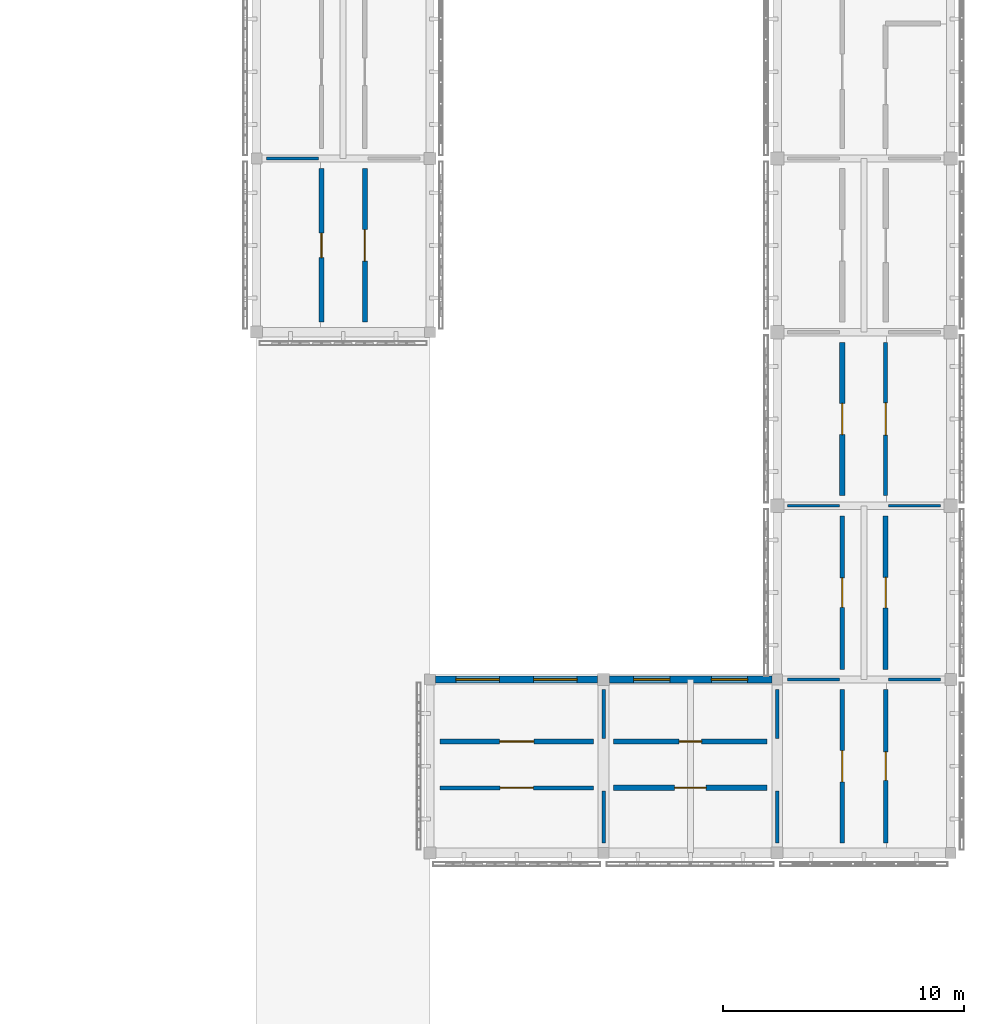
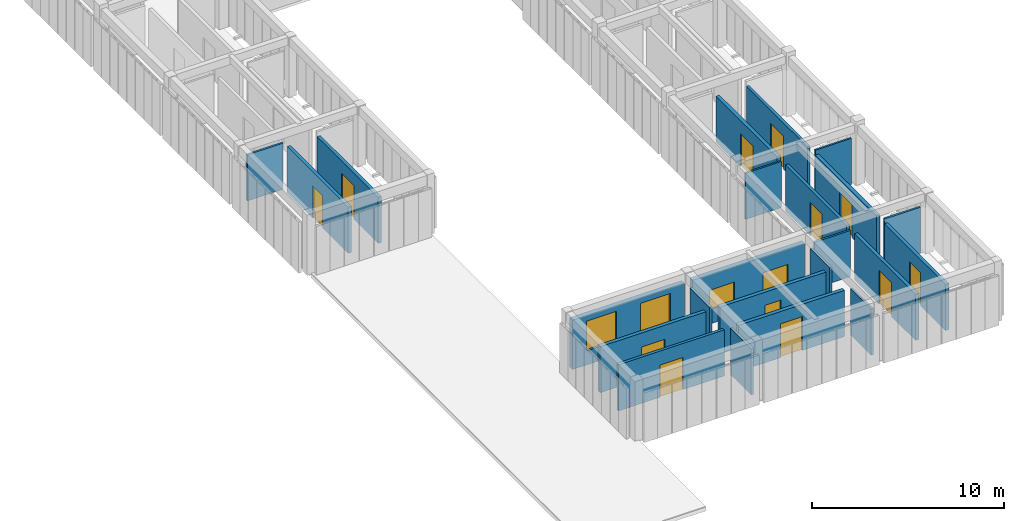
# One storey, part 57 of 67: 23 walls, 12 doors, 4 windows, 16 openings.
"""IFC4 building model written with IfcOpenShell, lengths in metres."""

from ifc_helpers import new_model, si_unit, direction, frame, frame_2d, origin, place, context, subcontext, project, spatial, rectangle, extrude, material, layer, layer_set, type_object, element, fill, save


model = new_model("IFC4")

# Units and contexts
model_context = context("Model", 3, precision=1e-05, world=origin(), true_north=direction((0.0, 1.0)))
body_context = subcontext(model_context, "Body", "Model", "MODEL_VIEW")
ifc_project = project(units=[si_unit("LENGTHUNIT", "METRE"), si_unit("AREAUNIT", "SQUARE_METRE"), si_unit("VOLUMEUNIT", "CUBIC_METRE"), si_unit("PLANEANGLEUNIT", "RADIAN"), si_unit("MASSUNIT", "GRAM", prefix="KILO")], contexts=[model_context])

# Site, building, storey
site_placement = place(None, origin())
site = spatial("IfcSite", under=ifc_project, at=site_placement, CompositionType="ELEMENT")
building_placement = place(site_placement, origin())
building = spatial("IfcBuilding", under=site, at=building_placement, Name="Aldebral Square Health Centre", CompositionType="ELEMENT")
storey_placement = place(building_placement, frame((0.0, 0.0, 13.5)))
storey = spatial("IfcBuildingStorey", under=building, at=storey_placement, Name="L03", CompositionType="ELEMENT", Elevation=13.5)

# Wall, openings, windows
ifc_material_1 = material(Name="Ochre mineral-rendered concrete C35/45 court wall", Category="concrete")
ifc_layer_1 = layer(ifc_material_1, 0.280029296875, Name="Ochre mineral-rendered concrete C35/45 court wall", Category="concrete")
ifc_layer_set_1 = layer_set([ifc_layer_1], Name="Ochre mineral-rendered concrete C35/45 court wall")
wall_type_1 = type_object("IfcWallType", Name="EW-OCH-280", PredefinedType="STANDARD", material=ifc_layer_set_1)
wall_1_placement = place(storey_placement, frame((150.949951171875, 64.800048828125, 0.0), z_axis=(0.0, 0.0, 1.0), x_axis=(-1.0, 0.0, 0.0)))
wall_1 = element("IfcWall", 1, at=wall_1_placement, inside=storey, type_object=wall_type_1, Name="L03 V5 exterior wall L03-V5-20-08-N", PredefinedType="STANDARD", context=body_context, shape_type="SweptSolid", body=[
    extrude(rectangle(XDim=6.724853515625, YDim=0.280029296875, at=frame_2d((3.3623046875, 0.0))), origin(), (0.0, 0.0, 1.0), 3.139892578125),
])
opening_1_placement = place(wall_1_placement, frame((0.85009765625, 0.0, 0.89990234375)))
opening_1 = element("IfcOpeningElement", 2, at=opening_1_placement, cuts=wall_1, Name="Opening W52", PredefinedType="OPENING", context=body_context, shape_type="SweptSolid", body=[
    extrude(rectangle(XDim=1.800048828125, YDim=1.8798828125, at=frame_2d((0.89990234375, 0.93994140625))), frame((0.0, 0.14990234375, 0.0), z_axis=(0.0, -1.0, 0.0), x_axis=(1.0, 0.0, 0.0)), (0.0, 0.0, 1.0), 0.300048828125),
])
opening_2_placement = place(wall_1_placement, frame((4.074951171875, 0.0, 0.89990234375)))
opening_2 = element("IfcOpeningElement", 3, at=opening_2_placement, cuts=wall_1, Name="Opening W52", PredefinedType="OPENING", context=body_context, shape_type="SweptSolid", body=[
    extrude(rectangle(XDim=1.800048828125, YDim=1.8798828125, at=frame_2d((0.89990234375, 0.93994140625))), frame((0.0, 0.14990234375, 0.0), z_axis=(0.0, -1.0, 0.0), x_axis=(1.0, 0.0, 0.0)), (0.0, 0.0, 1.0), 0.300048828125),
])
ifc_material_2 = material(Name="Thermally broken aluminium and low-E glass", Category="aluminium")
window_type_1 = type_object("IfcWindowType", Name="WIN-W52", PartitioningType="SINGLE_PANEL", PredefinedType="WINDOW", material=ifc_material_2)
window_1_placement = place(opening_1_placement, origin())
window_1 = element("IfcWindow", 4, at=window_1_placement, inside=storey, type_object=window_type_1, Name="L03 clinical window L03-V5-20-08-N.1", OverallHeight=1.8798828125, OverallWidth=1.800048828125, PartitioningType="SINGLE_PANEL", PredefinedType="WINDOW", context=body_context, shape_type="SweptSolid", body=[
    extrude(rectangle(XDim=1.800048828125, YDim=1.8798828125, at=frame_2d((0.89990234375, 0.93994140625))), frame((0.0, 0.030029296875, 0.0), z_axis=(0.0, -1.0, 0.0), x_axis=(1.0, 0.0, 0.0)), (0.0, 0.0, 1.0), 0.06005859375),
])
fill(opening_1, window_1)
window_2_placement = place(opening_2_placement, origin())
window_2 = element("IfcWindow", 5, at=window_2_placement, inside=storey, type_object=window_type_1, Name="L03 clinical window L03-V5-20-08-N.2", OverallHeight=1.8798828125, OverallWidth=1.800048828125, PartitioningType="SINGLE_PANEL", PredefinedType="WINDOW", context=body_context, shape_type="SweptSolid", body=[
    extrude(rectangle(XDim=1.800048828125, YDim=1.8798828125, at=frame_2d((0.89990234375, 0.93994140625))), frame((0.0, 0.030029296875, 0.0), z_axis=(0.0, -1.0, 0.0), x_axis=(1.0, 0.0, 0.0)), (0.0, 0.0, 1.0), 0.06005859375),
])
fill(opening_2, window_2)

wall_2_placement = place(storey_placement, frame((158.175048828125, 64.800048828125, 0.0), z_axis=(0.0, 0.0, 1.0), x_axis=(-1.0, 0.0, 0.0)))
wall_2 = element("IfcWall", 6, at=wall_2_placement, inside=storey, type_object=wall_type_1, Name="L03 V5 exterior wall L03-V5-21-08-N", PredefinedType="STANDARD", context=body_context, shape_type="SweptSolid", body=[
    extrude(rectangle(XDim=6.72509765625, YDim=0.280029296875, at=frame_2d((3.362548828125, 0.0))), origin(), (0.0, 0.0, 1.0), 3.139892578125),
])
opening_3_placement = place(wall_2_placement, frame((1.0, 0.0, 0.89990234375)))
opening_3 = element("IfcOpeningElement", 7, at=opening_3_placement, cuts=wall_2, Name="Opening W05", PredefinedType="OPENING", context=body_context, shape_type="SweptSolid", body=[
    extrude(rectangle(XDim=1.5, YDim=1.25, at=frame_2d((0.75, 0.625))), frame((0.0, 0.14990234375, 0.0), z_axis=(0.0, -1.0, 0.0), x_axis=(1.0, 0.0, 0.0)), (0.0, 0.0, 1.0), 0.300048828125),
])
opening_4_placement = place(wall_2_placement, frame((4.22509765625, 0.0, 0.89990234375)))
opening_4 = element("IfcOpeningElement", 8, at=opening_4_placement, cuts=wall_2, Name="Opening W05", PredefinedType="OPENING", context=body_context, shape_type="SweptSolid", body=[
    extrude(rectangle(XDim=1.5, YDim=1.25, at=frame_2d((0.75, 0.625))), frame((0.0, 0.14990234375, 0.0), z_axis=(0.0, -1.0, 0.0), x_axis=(1.0, 0.0, 0.0)), (0.0, 0.0, 1.0), 0.300048828125),
])
window_type_2 = type_object("IfcWindowType", Name="WIN-W05", PartitioningType="SINGLE_PANEL", PredefinedType="WINDOW", material=ifc_material_2)
window_3_placement = place(opening_3_placement, origin())
window_3 = element("IfcWindow", 9, at=window_3_placement, inside=storey, type_object=window_type_2, Name="L03 clinical window L03-V5-21-08-N.1", OverallHeight=1.25, OverallWidth=1.5, PartitioningType="SINGLE_PANEL", PredefinedType="WINDOW", context=body_context, shape_type="SweptSolid", body=[
    extrude(rectangle(XDim=1.5, YDim=1.25, at=frame_2d((0.75, 0.625))), frame((0.0, 0.030029296875, 0.0), z_axis=(0.0, -1.0, 0.0), x_axis=(1.0, 0.0, 0.0)), (0.0, 0.0, 1.0), 0.06005859375),
])
fill(opening_3, window_3)
window_4_placement = place(opening_4_placement, origin())
window_4 = element("IfcWindow", 10, at=window_4_placement, inside=storey, type_object=window_type_2, Name="L03 clinical window L03-V5-21-08-N.2", OverallHeight=1.25, OverallWidth=1.5, PartitioningType="SINGLE_PANEL", PredefinedType="WINDOW", context=body_context, shape_type="SweptSolid", body=[
    extrude(rectangle(XDim=1.5, YDim=1.25, at=frame_2d((0.75, 0.625))), frame((0.0, 0.030029296875, 0.0), z_axis=(0.0, -1.0, 0.0), x_axis=(1.0, 0.0, 0.0)), (0.0, 0.0, 1.0), 0.06005859375),
])
fill(opening_4, window_4)

# Wall, opening, door
ifc_material_3 = material(Name="Concrete C35/45 compartment wall", Category="concrete")
ifc_layer_2 = layer(ifc_material_3, 0.199951171875, Name="Concrete C35/45 compartment wall", Category="concrete")
ifc_layer_set_2 = layer_set([ifc_layer_2], Name="Concrete C35/45 compartment wall")
wall_type_2 = type_object("IfcWallType", Name="IW-CMP-200", PredefinedType="SOLIDWALL", material=ifc_layer_set_2)
wall_3_placement = place(storey_placement, frame((139.5, 79.6201171875, 0.0), z_axis=(0.0, 0.0, 1.0), x_axis=(0.0, 1.0, 0.0)))
wall_3 = element("IfcWall", 11, at=wall_3_placement, inside=storey, type_object=wall_type_2, Name="L03 Cardiology Diagnostic Clinic 20.12W corridor wall", PredefinedType="SOLIDWALL", context=body_context, shape_type="SweptSolid", body=[
    extrude(rectangle(XDim=6.35986328125, YDim=0.199951171875, at=frame_2d((3.179931640625, 0.0))), origin(), (0.0, 0.0, 1.0), 2.929931640625),
])
opening_5_placement = place(wall_3_placement, frame((2.669921875, 0.0, 0.0)))
opening_5 = element("IfcOpeningElement", 12, at=opening_5_placement, cuts=wall_3, Name="Opening D-0570", PredefinedType="OPENING", context=body_context, shape_type="SweptSolid", body=[
    extrude(rectangle(XDim=1.02001953125, YDim=2.0400390625, at=frame_2d((0.510009765625, 1.02001953125))), frame((0.0, 0.10986328125, 0.0), z_axis=(0.0, -1.0, 0.0), x_axis=(1.0, 0.0, 0.0)), (0.0, 0.0, 1.0), 0.219970703125),
])
ifc_material_4 = material(Name="Clinical suite fire door")
door_type_1 = type_object("IfcDoorType", Name="ID-EXD-03", OperationType="NOTDEFINED", PredefinedType="DOOR", material=ifc_material_4)
door_1_placement = place(opening_5_placement, origin())
door_1 = element("IfcDoor", 13, at=door_1_placement, inside=storey, type_object=door_type_1, Name="L03 Cardiology Diagnostic Clinic 20.12W door", OperationType="SINGLE_SWING_LEFT", OverallHeight=2.0400390625, OverallWidth=1.02001953125, PredefinedType="DOOR", context=body_context, shape_type="SweptSolid", body=[
    extrude(rectangle(XDim=1.02001953125, YDim=2.0400390625, at=frame_2d((0.510009765625, 1.02001953125))), frame((0.0, 0.02490234375, 0.0), z_axis=(0.0, -1.0, 0.0), x_axis=(1.0, 0.0, 0.0)), (0.0, 0.0, 1.0), 0.050048828125),
])
fill(opening_5, door_1)

wall_4_placement = place(storey_placement, frame((141.300048828125, 79.6201171875, 0.0), z_axis=(0.0, 0.0, 1.0), x_axis=(0.0, 1.0, 0.0)))
wall_4 = element("IfcWall", 14, at=wall_4_placement, inside=storey, type_object=wall_type_2, Name="L03 ECG Stress Test Suite 20.12E corridor wall", PredefinedType="SOLIDWALL", context=body_context, shape_type="SweptSolid", body=[
    extrude(rectangle(XDim=6.35986328125, YDim=0.199951171875, at=frame_2d((3.179931640625, 0.0))), origin(), (0.0, 0.0, 1.0), 2.929931640625),
])
opening_6_placement = place(wall_4_placement, frame((2.530029296875, 0.0, 0.0)))
opening_6 = element("IfcOpeningElement", 15, at=opening_6_placement, cuts=wall_4, Name="Opening D-0571", PredefinedType="OPENING", context=body_context, shape_type="SweptSolid", body=[
    extrude(rectangle(XDim=1.300048828125, YDim=2.14990234375, at=frame_2d((0.64990234375, 1.074951171875))), frame((0.0, 0.10986328125, 0.0), z_axis=(0.0, -1.0, 0.0), x_axis=(1.0, 0.0, 0.0)), (0.0, 0.0, 1.0), 0.219970703125),
])
ifc_material_5 = material(Name="Radiography shielded fire door")
door_type_2 = type_object("IfcDoorType", Name="ID-IM-130", OperationType="NOTDEFINED", PredefinedType="DOOR", material=ifc_material_5)
door_2_placement = place(opening_6_placement, origin())
door_2 = element("IfcDoor", 16, at=door_2_placement, inside=storey, type_object=door_type_2, Name="L03 ECG Stress Test Suite 20.12E door", OperationType="SINGLE_SWING_RIGHT", OverallHeight=2.14990234375, OverallWidth=1.300048828125, PredefinedType="DOOR", context=body_context, shape_type="SweptSolid", body=[
    extrude(rectangle(XDim=1.300048828125, YDim=2.14990234375, at=frame_2d((0.64990234375, 1.074951171875))), frame((0.0, 0.02490234375, 0.0), z_axis=(0.0, -1.0, 0.0), x_axis=(1.0, 0.0, 0.0)), (0.0, 0.0, 1.0), 0.050048828125),
])
fill(opening_6, door_2)

wall_5_placement = place(storey_placement, frame((161.10009765625, 58.02001953125, 0.0), z_axis=(0.0, 0.0, 1.0), x_axis=(0.0, 1.0, 0.0)))
wall_5 = element("IfcWall", 17, at=wall_5_placement, inside=storey, type_object=wall_type_2, Name="L03 ECG Stress Test Suite 23.9W corridor wall", PredefinedType="SOLIDWALL", context=body_context, shape_type="SweptSolid", body=[
    extrude(rectangle(XDim=6.35986328125, YDim=0.199951171875, at=frame_2d((3.179931640625, 0.0))), origin(), (0.0, 0.0, 1.0), 2.929931640625),
])
opening_7_placement = place(wall_5_placement, frame((2.530029296875, 0.0, 0.0)))
opening_7 = element("IfcOpeningElement", 18, at=opening_7_placement, cuts=wall_5, Name="Opening D-0589", PredefinedType="OPENING", context=body_context, shape_type="SweptSolid", body=[
    extrude(rectangle(XDim=1.300048828125, YDim=2.14990234375, at=frame_2d((0.64990234375, 1.074951171875))), frame((0.0, 0.10986328125, 0.0), z_axis=(0.0, -1.0, 0.0), x_axis=(1.0, 0.0, 0.0)), (0.0, 0.0, 1.0), 0.219970703125),
])
door_3_placement = place(opening_7_placement, origin())
door_3 = element("IfcDoor", 19, at=door_3_placement, inside=storey, type_object=door_type_2, Name="L03 ECG Stress Test Suite 23.9W door", OperationType="SINGLE_SWING_RIGHT", OverallHeight=2.14990234375, OverallWidth=1.300048828125, PredefinedType="DOOR", context=body_context, shape_type="SweptSolid", body=[
    extrude(rectangle(XDim=1.300048828125, YDim=2.14990234375, at=frame_2d((0.64990234375, 1.074951171875))), frame((0.0, 0.02490234375, 0.0), z_axis=(0.0, -1.0, 0.0), x_axis=(1.0, 0.0, 0.0)), (0.0, 0.0, 1.0), 0.050048828125),
])
fill(opening_7, door_3)

wall_6_placement = place(storey_placement, frame((162.89990234375, 58.02001953125, 0.0), z_axis=(0.0, 0.0, 1.0), x_axis=(0.0, 1.0, 0.0)))
wall_6 = element("IfcWall", 20, at=wall_6_placement, inside=storey, type_object=wall_type_2, Name="L03 Endocrinology Specialist Clinic 23.9E corridor wall", PredefinedType="SOLIDWALL", context=body_context, shape_type="SweptSolid", body=[
    extrude(rectangle(XDim=6.35986328125, YDim=0.199951171875, at=frame_2d((3.179931640625, 0.0))), origin(), (0.0, 0.0, 1.0), 2.929931640625),
])
opening_8_placement = place(wall_6_placement, frame((2.590087890625, 0.0, 0.0)))
opening_8 = element("IfcOpeningElement", 21, at=opening_8_placement, cuts=wall_6, Name="Opening D-0590", PredefinedType="OPENING", context=body_context, shape_type="SweptSolid", body=[
    extrude(rectangle(XDim=1.179931640625, YDim=2.090087890625, at=frame_2d((0.58984375, 1.044921875))), frame((0.0, 0.10986328125, 0.0), z_axis=(0.0, -1.0, 0.0), x_axis=(1.0, 0.0, 0.0)), (0.0, 0.0, 1.0), 0.219970703125),
])
door_type_3 = type_object("IfcDoorType", Name="ID-EXD-23", OperationType="NOTDEFINED", PredefinedType="DOOR", material=ifc_material_4)
door_4_placement = place(opening_8_placement, origin())
door_4 = element("IfcDoor", 22, at=door_4_placement, inside=storey, type_object=door_type_3, Name="L03 Endocrinology Specialist Clinic 23.9E door", OperationType="SINGLE_SWING_LEFT", OverallHeight=2.090087890625, OverallWidth=1.179931640625, PredefinedType="DOOR", context=body_context, shape_type="SweptSolid", body=[
    extrude(rectangle(XDim=1.179931640625, YDim=2.090087890625, at=frame_2d((0.58984375, 1.044921875))), frame((0.0, 0.02490234375, 0.0), z_axis=(0.0, -1.0, 0.0), x_axis=(1.0, 0.0, 0.0)), (0.0, 0.0, 1.0), 0.050048828125),
])
fill(opening_8, door_4)

ifc_layer_3 = layer(ifc_material_3, 0.219970703125, Name="Concrete C35/45 compartment wall", Category="concrete")
ifc_layer_set_3 = layer_set([ifc_layer_3], Name="Concrete C35/45 compartment wall")
wall_type_3 = type_object("IfcWallType", Name="IW-CMP-220", PredefinedType="SOLIDWALL", material=ifc_layer_set_3)
wall_7_placement = place(storey_placement, frame((151.6201171875, 60.300048828125, 0.0), z_axis=(0.0, 0.0, 1.0), x_axis=(1.0, 0.0, 0.0)))
wall_7 = element("IfcWall", 23, at=wall_7_placement, inside=storey, type_object=wall_type_3, Name="L03 ECG Stress Test Suite 22.9S corridor wall", PredefinedType="SOLIDWALL", context=body_context, shape_type="SweptSolid", body=[
    extrude(rectangle(XDim=6.35986328125, YDim=0.219970703125, at=frame_2d((3.179931640625, 0.0))), origin(), (0.0, 0.0, 1.0), 2.929931640625),
])
opening_9_placement = place(wall_7_placement, frame((2.530029296875, 0.0, 0.0)))
opening_9 = element("IfcOpeningElement", 24, at=opening_9_placement, cuts=wall_7, Name="Opening D-0583", PredefinedType="OPENING", context=body_context, shape_type="SweptSolid", body=[
    extrude(rectangle(XDim=1.300048828125, YDim=2.14990234375, at=frame_2d((0.64990234375, 1.074951171875))), frame((0.0, 0.1201171875, 0.0), z_axis=(0.0, -1.0, 0.0), x_axis=(1.0, 0.0, 0.0)), (0.0, 0.0, 1.0), 0.239990234375),
])
door_5_placement = place(opening_9_placement, origin())
door_5 = element("IfcDoor", 25, at=door_5_placement, inside=storey, type_object=door_type_2, Name="L03 ECG Stress Test Suite 22.9S door", OperationType="SINGLE_SWING_RIGHT", OverallHeight=2.14990234375, OverallWidth=1.300048828125, PredefinedType="DOOR", context=body_context, shape_type="SweptSolid", body=[
    extrude(rectangle(XDim=1.300048828125, YDim=2.14990234375, at=frame_2d((0.64990234375, 1.074951171875))), frame((0.0, 0.02490234375, 0.0), z_axis=(0.0, -1.0, 0.0), x_axis=(1.0, 0.0, 0.0)), (0.0, 0.0, 1.0), 0.050048828125),
])
fill(opening_9, door_5)

wall_8_placement = place(storey_placement, frame((151.6201171875, 62.219970703125, 0.0), z_axis=(0.0, 0.0, 1.0), x_axis=(1.0, 0.0, 0.0)))
wall_8 = element("IfcWall", 26, at=wall_8_placement, inside=storey, type_object=wall_type_3, Name="L03 Endocrinology Specialist Clinic 22.9N corridor wall", PredefinedType="SOLIDWALL", context=body_context, shape_type="SweptSolid", body=[
    extrude(rectangle(XDim=6.35986328125, YDim=0.219970703125, at=frame_2d((3.179931640625, 0.0))), origin(), (0.0, 0.0, 1.0), 2.929931640625),
])
opening_10_placement = place(wall_8_placement, frame((2.7099609375, 0.0, 0.0)))
opening_10 = element("IfcOpeningElement", 27, at=opening_10_placement, cuts=wall_8, Name="Opening D-0584", PredefinedType="OPENING", context=body_context, shape_type="SweptSolid", body=[
    extrude(rectangle(XDim=0.93994140625, YDim=2.090087890625, at=frame_2d((0.469970703125, 1.044921875))), frame((0.0, 0.1201171875, 0.0), z_axis=(0.0, -1.0, 0.0), x_axis=(1.0, 0.0, 0.0)), (0.0, 0.0, 1.0), 0.239990234375),
])
door_type_4 = type_object("IfcDoorType", Name="ID-EXD-17", OperationType="NOTDEFINED", PredefinedType="DOOR", material=ifc_material_4)
door_6_placement = place(opening_10_placement, origin())
door_6 = element("IfcDoor", 28, at=door_6_placement, inside=storey, type_object=door_type_4, Name="L03 Endocrinology Specialist Clinic 22.9N door", OperationType="SINGLE_SWING_LEFT", OverallHeight=2.090087890625, OverallWidth=0.93994140625, PredefinedType="DOOR", context=body_context, shape_type="SweptSolid", body=[
    extrude(rectangle(XDim=0.93994140625, YDim=2.090087890625, at=frame_2d((0.469970703125, 1.044921875))), frame((0.0, 0.02490234375, 0.0), z_axis=(0.0, -1.0, 0.0), x_axis=(1.0, 0.0, 0.0)), (0.0, 0.0, 1.0), 0.050048828125),
])
fill(opening_10, door_6)

ifc_material_6 = material(Name="Fire-rated acoustic gypsum partition")
ifc_layer_4 = layer(ifc_material_6, 0.1650390625, Name="Fire-rated acoustic gypsum partition")
ifc_layer_set_4 = layer_set([ifc_layer_4], Name="Fire-rated acoustic gypsum partition")
wall_type_4 = type_object("IfcWallType", Name="IW-COR-165", PredefinedType="PARTITIONING", material=ifc_layer_set_4)
wall_9_placement = place(storey_placement, frame((144.419921875, 60.300048828125, 0.0), z_axis=(0.0, 0.0, 1.0), x_axis=(1.0, 0.0, 0.0)))
wall_9 = element("IfcWall", 29, at=wall_9_placement, inside=storey, type_object=wall_type_4, Name="L03 Clinical Nutrition Office 21.9S corridor wall", PredefinedType="PARTITIONING", context=body_context, shape_type="SweptSolid", body=[
    extrude(rectangle(XDim=6.360107421875, YDim=0.1650390625, at=frame_2d((3.18017578125, 0.0))), origin(), (0.0, 0.0, 1.0), 2.929931640625),
])
opening_11_placement = place(wall_9_placement, frame((2.489990234375, 0.0, 0.0)))
opening_11 = element("IfcOpeningElement", 30, at=opening_11_placement, cuts=wall_9, Name="Opening D-0579", PredefinedType="OPENING", context=body_context, shape_type="SweptSolid", body=[
    extrude(rectangle(XDim=1.3798828125, YDim=2.0400390625, at=frame_2d((0.68994140625, 1.02001953125))), frame((0.0, 0.092529296875, 0.0), z_axis=(0.0, -1.0, 0.0), x_axis=(1.0, 0.0, 0.0)), (0.0, 0.0, 1.0), 0.18505859375),
])
door_type_5 = type_object("IfcDoorType", Name="ID-EXD-12", OperationType="NOTDEFINED", PredefinedType="DOOR", material=ifc_material_4)
door_7_placement = place(opening_11_placement, origin())
door_7 = element("IfcDoor", 31, at=door_7_placement, inside=storey, type_object=door_type_5, Name="L03 Clinical Nutrition Office 21.9S door", OperationType="SINGLE_SWING_RIGHT", OverallHeight=2.0400390625, OverallWidth=1.3798828125, PredefinedType="DOOR", context=body_context, shape_type="SweptSolid", body=[
    extrude(rectangle(XDim=1.3798828125, YDim=2.0400390625, at=frame_2d((0.68994140625, 1.02001953125))), frame((0.0, 0.02490234375, 0.0), z_axis=(0.0, -1.0, 0.0), x_axis=(1.0, 0.0, 0.0)), (0.0, 0.0, 1.0), 0.050048828125),
])
fill(opening_11, door_7)

wall_10_placement = place(storey_placement, frame((162.89990234375, 72.419921875, 0.0), z_axis=(0.0, 0.0, 1.0), x_axis=(0.0, 1.0, 0.0)))
wall_10 = element("IfcWall", 32, at=wall_10_placement, inside=storey, type_object=wall_type_4, Name="L03 Cardiology Diagnostic Clinic 23.11E corridor wall", PredefinedType="PARTITIONING", context=body_context, shape_type="SweptSolid", body=[
    extrude(rectangle(XDim=6.360107421875, YDim=0.1650390625, at=frame_2d((3.18017578125, 0.0))), origin(), (0.0, 0.0, 1.0), 2.929931640625),
])
opening_12_placement = place(wall_10_placement, frame((2.510009765625, 0.0, 0.0)))
opening_12 = element("IfcOpeningElement", 33, at=opening_12_placement, cuts=wall_10, Name="Opening D-0594", PredefinedType="OPENING", context=body_context, shape_type="SweptSolid", body=[
    extrude(rectangle(XDim=1.340087890625, YDim=2.090087890625, at=frame_2d((0.669921875, 1.044921875))), frame((0.0, 0.092529296875, 0.0), z_axis=(0.0, -1.0, 0.0), x_axis=(1.0, 0.0, 0.0)), (0.0, 0.0, 1.0), 0.18505859375),
])
door_type_6 = type_object("IfcDoorType", Name="ID-EXD-27", OperationType="NOTDEFINED", PredefinedType="DOOR", material=ifc_material_4)
door_8_placement = place(opening_12_placement, origin())
door_8 = element("IfcDoor", 34, at=door_8_placement, inside=storey, type_object=door_type_6, Name="L03 Cardiology Diagnostic Clinic 23.11E door", OperationType="SINGLE_SWING_LEFT", OverallHeight=2.090087890625, OverallWidth=1.340087890625, PredefinedType="DOOR", context=body_context, shape_type="SweptSolid", body=[
    extrude(rectangle(XDim=1.340087890625, YDim=2.090087890625, at=frame_2d((0.669921875, 1.044921875))), frame((0.0, 0.02490234375, 0.0), z_axis=(0.0, -1.0, 0.0), x_axis=(1.0, 0.0, 0.0)), (0.0, 0.0, 1.0), 0.050048828125),
])
fill(opening_12, door_8)

ifc_layer_5 = layer(ifc_material_6, 0.179931640625, Name="Fire-rated acoustic gypsum partition")
ifc_layer_set_5 = layer_set([ifc_layer_5], Name="Fire-rated acoustic gypsum partition")
wall_type_5 = type_object("IfcWallType", Name="IW-COR-180", PredefinedType="PARTITIONING", material=ifc_layer_set_5)
wall_11_placement = place(storey_placement, frame((161.10009765625, 65.219970703125, 0.0), z_axis=(0.0, 0.0, 1.0), x_axis=(0.0, 1.0, 0.0)))
wall_11 = element("IfcWall", 35, at=wall_11_placement, inside=storey, type_object=wall_type_5, Name="L03 Clinical Nutrition Office 23.10W corridor wall", PredefinedType="PARTITIONING", context=body_context, shape_type="SweptSolid", body=[
    extrude(rectangle(XDim=6.360107421875, YDim=0.179931640625, at=frame_2d((3.18017578125, 0.0))), origin(), (0.0, 0.0, 1.0), 2.929931640625),
])
opening_13_placement = place(wall_11_placement, frame((2.570068359375, 0.0, 0.0)))
opening_13 = element("IfcOpeningElement", 36, at=opening_13_placement, cuts=wall_11, Name="Opening D-0591", PredefinedType="OPENING", context=body_context, shape_type="SweptSolid", body=[
    extrude(rectangle(XDim=1.219970703125, YDim=2.090087890625, at=frame_2d((0.60986328125, 1.044921875))), frame((0.0, 0.10009765625, 0.0), z_axis=(0.0, -1.0, 0.0), x_axis=(1.0, 0.0, 0.0)), (0.0, 0.0, 1.0), 0.199951171875),
])
door_type_7 = type_object("IfcDoorType", Name="ID-EXD-24", OperationType="NOTDEFINED", PredefinedType="DOOR", material=ifc_material_4)
door_9_placement = place(opening_13_placement, origin())
door_9 = element("IfcDoor", 37, at=door_9_placement, inside=storey, type_object=door_type_7, Name="L03 Clinical Nutrition Office 23.10W door", OperationType="SINGLE_SWING_RIGHT", OverallHeight=2.090087890625, OverallWidth=1.219970703125, PredefinedType="DOOR", context=body_context, shape_type="SweptSolid", body=[
    extrude(rectangle(XDim=1.219970703125, YDim=2.090087890625, at=frame_2d((0.60986328125, 1.044921875))), frame((0.0, 0.02490234375, 0.0), z_axis=(0.0, -1.0, 0.0), x_axis=(1.0, 0.0, 0.0)), (0.0, 0.0, 1.0), 0.050048828125),
])
fill(opening_13, door_9)

ifc_material_7 = material(Name="Moisture-resistant sanitary chase wall")
ifc_layer_6 = layer(ifc_material_7, 0.2099609375, Name="Moisture-resistant sanitary chase wall")
ifc_layer_set_6 = layer_set([ifc_layer_6], Name="Moisture-resistant sanitary chase wall")
wall_type_6 = type_object("IfcWallType", Name="IW-PLB-210", PredefinedType="PLUMBINGWALL", material=ifc_layer_set_6)
wall_12_placement = place(storey_placement, frame((144.419921875, 62.219970703125, 0.0), z_axis=(0.0, 0.0, 1.0), x_axis=(1.0, 0.0, 0.0)))
wall_12 = element("IfcWall", 38, at=wall_12_placement, inside=storey, type_object=wall_type_6, Name="L03 Accessible WC 21.9N corridor wall", PredefinedType="PLUMBINGWALL", context=body_context, shape_type="SweptSolid", body=[
    extrude(rectangle(XDim=6.360107421875, YDim=0.2099609375, at=frame_2d((3.18017578125, 0.0))), origin(), (0.0, 0.0, 1.0), 2.929931640625),
])
opening_14_placement = place(wall_12_placement, frame((2.469970703125, 0.0, 0.0)))
opening_14 = element("IfcOpeningElement", 39, at=opening_14_placement, cuts=wall_12, Name="Opening D-0580", PredefinedType="OPENING", context=body_context, shape_type="SweptSolid", body=[
    extrude(rectangle(XDim=1.419921875, YDim=2.0400390625, at=frame_2d((0.7099609375, 1.02001953125))), frame((0.0, 0.114990234375, 0.0), z_axis=(0.0, -1.0, 0.0), x_axis=(1.0, 0.0, 0.0)), (0.0, 0.0, 1.0), 0.22998046875),
])
door_type_8 = type_object("IfcDoorType", Name="ID-EXD-13", OperationType="NOTDEFINED", PredefinedType="DOOR", material=ifc_material_4)
door_10_placement = place(opening_14_placement, origin())
door_10 = element("IfcDoor", 40, at=door_10_placement, inside=storey, type_object=door_type_8, Name="L03 Accessible WC 21.9N door", OperationType="SINGLE_SWING_LEFT", OverallHeight=2.0400390625, OverallWidth=1.419921875, PredefinedType="DOOR", context=body_context, shape_type="SweptSolid", body=[
    extrude(rectangle(XDim=1.419921875, YDim=2.0400390625, at=frame_2d((0.7099609375, 1.02001953125))), frame((0.0, 0.02490234375, 0.0), z_axis=(0.0, -1.0, 0.0), x_axis=(1.0, 0.0, 0.0)), (0.0, 0.0, 1.0), 0.050048828125),
])
fill(opening_14, door_10)

wall_13_placement = place(storey_placement, frame((162.89990234375, 65.219970703125, 0.0), z_axis=(0.0, 0.0, 1.0), x_axis=(0.0, 1.0, 0.0)))
wall_13 = element("IfcWall", 41, at=wall_13_placement, inside=storey, type_object=wall_type_6, Name="L03 Accessible WC 23.10E corridor wall", PredefinedType="PLUMBINGWALL", context=body_context, shape_type="SweptSolid", body=[
    extrude(rectangle(XDim=6.360107421875, YDim=0.2099609375, at=frame_2d((3.18017578125, 0.0))), origin(), (0.0, 0.0, 1.0), 2.929931640625),
])
opening_15_placement = place(wall_13_placement, frame((2.550048828125, 0.0, 0.0)))
opening_15 = element("IfcOpeningElement", 42, at=opening_15_placement, cuts=wall_13, Name="Opening D-0592", PredefinedType="OPENING", context=body_context, shape_type="SweptSolid", body=[
    extrude(rectangle(XDim=1.260009765625, YDim=2.090087890625, at=frame_2d((0.6298828125, 1.044921875))), frame((0.0, 0.114990234375, 0.0), z_axis=(0.0, -1.0, 0.0), x_axis=(1.0, 0.0, 0.0)), (0.0, 0.0, 1.0), 0.22998046875),
])
door_type_9 = type_object("IfcDoorType", Name="ID-EXD-25", OperationType="NOTDEFINED", PredefinedType="DOOR", material=ifc_material_4)
door_11_placement = place(opening_15_placement, origin())
door_11 = element("IfcDoor", 43, at=door_11_placement, inside=storey, type_object=door_type_9, Name="L03 Accessible WC 23.10E door", OperationType="SINGLE_SWING_LEFT", OverallHeight=2.090087890625, OverallWidth=1.260009765625, PredefinedType="DOOR", context=body_context, shape_type="SweptSolid", body=[
    extrude(rectangle(XDim=1.260009765625, YDim=2.090087890625, at=frame_2d((0.6298828125, 1.044921875))), frame((0.0, 0.02490234375, 0.0), z_axis=(0.0, -1.0, 0.0), x_axis=(1.0, 0.0, 0.0)), (0.0, 0.0, 1.0), 0.050048828125),
])
fill(opening_15, door_11)

wall_14_placement = place(storey_placement, frame((161.10009765625, 72.419921875, 0.0), z_axis=(0.0, 0.0, 1.0), x_axis=(0.0, 1.0, 0.0)))
wall_14 = element("IfcWall", 44, at=wall_14_placement, inside=storey, type_object=wall_type_6, Name="L03 Patient Toilet 23.11W corridor wall", PredefinedType="PLUMBINGWALL", context=body_context, shape_type="SweptSolid", body=[
    extrude(rectangle(XDim=6.360107421875, YDim=0.2099609375, at=frame_2d((3.18017578125, 0.0))), origin(), (0.0, 0.0, 1.0), 2.929931640625),
])
opening_16_placement = place(wall_14_placement, frame((2.530029296875, 0.0, 0.0)))
opening_16 = element("IfcOpeningElement", 45, at=opening_16_placement, cuts=wall_14, Name="Opening D-0593", PredefinedType="OPENING", context=body_context, shape_type="SweptSolid", body=[
    extrude(rectangle(XDim=1.300048828125, YDim=2.090087890625, at=frame_2d((0.64990234375, 1.044921875))), frame((0.0, 0.114990234375, 0.0), z_axis=(0.0, -1.0, 0.0), x_axis=(1.0, 0.0, 0.0)), (0.0, 0.0, 1.0), 0.22998046875),
])
door_type_10 = type_object("IfcDoorType", Name="ID-EXD-26", OperationType="NOTDEFINED", PredefinedType="DOOR", material=ifc_material_4)
door_12_placement = place(opening_16_placement, origin())
door_12 = element("IfcDoor", 46, at=door_12_placement, inside=storey, type_object=door_type_10, Name="L03 Patient Toilet 23.11W door", OperationType="SINGLE_SWING_RIGHT", OverallHeight=2.090087890625, OverallWidth=1.300048828125, PredefinedType="DOOR", context=body_context, shape_type="SweptSolid", body=[
    extrude(rectangle(XDim=1.300048828125, YDim=2.090087890625, at=frame_2d((0.64990234375, 1.044921875))), frame((0.0, 0.02490234375, 0.0), z_axis=(0.0, -1.0, 0.0), x_axis=(1.0, 0.0, 0.0)), (0.0, 0.0, 1.0), 0.050048828125),
])
fill(opening_16, door_12)

# Walls
ifc_material_8 = material(Name="Lightweight clinical partition")
ifc_layer_7 = layer(ifc_material_8, 0.10498046875, Name="Lightweight clinical partition")
ifc_layer_set_7 = layer_set([ifc_layer_7], Name="Lightweight clinical partition")
wall_type_7 = type_object("IfcWallType", Name="IW-PRT-105", PredefinedType="PARTITIONING", material=ifc_layer_set_7)
for number, where, z_axis, x_axis, name in (
    (47, (158.820068359375, 72.0, 0.0), (0.0, 0.0, 1.0), (1.0, 0.0, 0.0), "L03 Clinical Nutrition Office 23.10W demising partition"),
    (48, (163.02001953125, 72.0, 0.0), (0.0, 0.0, 1.0), (1.0, 0.0, 0.0), "L03 Accessible WC 23.10E demising partition"),
):
    element("IfcWall", number, at=place(storey_placement, frame(where, z_axis=z_axis, x_axis=x_axis)), inside=storey, type_object=wall_type_7, Name=name, PredefinedType="PARTITIONING", context=body_context, shape_type="SweptSolid", body=[
        extrude(rectangle(XDim=2.159912109375, YDim=0.10498046875, at=frame_2d((1.080078125, 0.0))), origin(), (0.0, 0.0, 1.0), 2.929931640625),
    ])
ifc_material_9 = material(Name="Acoustic clinical gypsum partition")
ifc_layer_8 = layer(ifc_material_9, 0.1201171875, Name="Acoustic clinical gypsum partition")
ifc_layer_set_8 = layer_set([ifc_layer_8], Name="Acoustic clinical gypsum partition")
wall_type_8 = type_object("IfcWallType", Name="IW-PRT-120", PredefinedType="PARTITIONING", material=ifc_layer_set_8)
for number, where, z_axis, x_axis, name in (
    (49, (137.219970703125, 86.39990234375, 0.0), (0.0, 0.0, 1.0), (1.0, 0.0, 0.0), "L03 Cardiology Diagnostic Clinic 20.12W demising partition"),
    (50, (158.820068359375, 64.800048828125, 0.0), (0.0, 0.0, 1.0), (1.0, 0.0, 0.0), "L03 ECG Stress Test Suite 23.9W demising partition"),
    (51, (163.02001953125, 64.800048828125, 0.0), (0.0, 0.0, 1.0), (1.0, 0.0, 0.0), "L03 Endocrinology Specialist Clinic 23.9E demising partition"),
):
    element("IfcWall", number, at=place(storey_placement, frame(where, z_axis=z_axis, x_axis=x_axis)), inside=storey, type_object=wall_type_8, Name=name, PredefinedType="PARTITIONING", context=body_context, shape_type="SweptSolid", body=[
        extrude(rectangle(XDim=2.159912109375, YDim=0.1201171875, at=frame_2d((1.080078125, 0.0))), origin(), (0.0, 0.0, 1.0), 2.929931640625),
    ])
ifc_layer_9 = layer(ifc_material_9, 0.135009765625, Name="Acoustic clinical gypsum partition")
ifc_layer_set_9 = layer_set([ifc_layer_9], Name="Acoustic clinical gypsum partition")
wall_type_9 = type_object("IfcWallType", Name="IW-PRT-135", PredefinedType="PARTITIONING", material=ifc_layer_set_9)
wall_15_placement = place(storey_placement, frame((158.39990234375, 58.02001953125, 0.0), z_axis=(0.0, 0.0, 1.0), x_axis=(0.0, 1.0, 0.0)))
element("IfcWall", 52, at=wall_15_placement, inside=storey, type_object=wall_type_9, Name="L03 ECG Stress Test Suite 22.9S demising partition", PredefinedType="PARTITIONING", context=body_context, shape_type="SweptSolid", body=[
    extrude(rectangle(XDim=2.159912109375, YDim=0.135009765625, at=frame_2d((1.080078125, 0.0))), origin(), (0.0, 0.0, 1.0), 2.929931640625),
])
wall_16_placement = place(storey_placement, frame((158.39990234375, 62.340087890625, 0.0), z_axis=(0.0, 0.0, 1.0), x_axis=(0.0, 1.0, 0.0)))
element("IfcWall", 53, at=wall_16_placement, inside=storey, type_object=wall_type_9, Name="L03 Endocrinology Specialist Clinic 22.9N demising partition", PredefinedType="PARTITIONING", context=body_context, shape_type="SweptSolid", body=[
    extrude(rectangle(XDim=2.039794921875, YDim=0.135009765625, at=frame_2d((1.02001953125, 0.0))), origin(), (0.0, 0.0, 1.0), 2.929931640625),
])
ifc_layer_10 = layer(ifc_material_9, 0.14990234375, Name="Acoustic clinical gypsum partition")
ifc_layer_set_10 = layer_set([ifc_layer_10], Name="Acoustic clinical gypsum partition")
wall_type_10 = type_object("IfcWallType", Name="IW-PRT-150", PredefinedType="PARTITIONING", material=ifc_layer_set_10)
wall_17_placement = place(storey_placement, frame((151.199951171875, 58.02001953125, 0.0), z_axis=(0.0, 0.0, 1.0), x_axis=(0.0, 1.0, 0.0)))
element("IfcWall", 54, at=wall_17_placement, inside=storey, type_object=wall_type_10, Name="L03 Clinical Nutrition Office 21.9S demising partition", PredefinedType="PARTITIONING", context=body_context, shape_type="SweptSolid", body=[
    extrude(rectangle(XDim=2.159912109375, YDim=0.14990234375, at=frame_2d((1.080078125, 0.0))), origin(), (0.0, 0.0, 1.0), 2.929931640625),
])
wall_18_placement = place(storey_placement, frame((151.199951171875, 62.340087890625, 0.0), z_axis=(0.0, 0.0, 1.0), x_axis=(0.0, 1.0, 0.0)))
element("IfcWall", 55, at=wall_18_placement, inside=storey, type_object=wall_type_10, Name="L03 Accessible WC 21.9N demising partition", PredefinedType="PARTITIONING", context=body_context, shape_type="SweptSolid", body=[
    extrude(rectangle(XDim=2.039794921875, YDim=0.14990234375, at=frame_2d((1.02001953125, 0.0))), origin(), (0.0, 0.0, 1.0), 2.929931640625),
])

save(model, "model.ifc")
